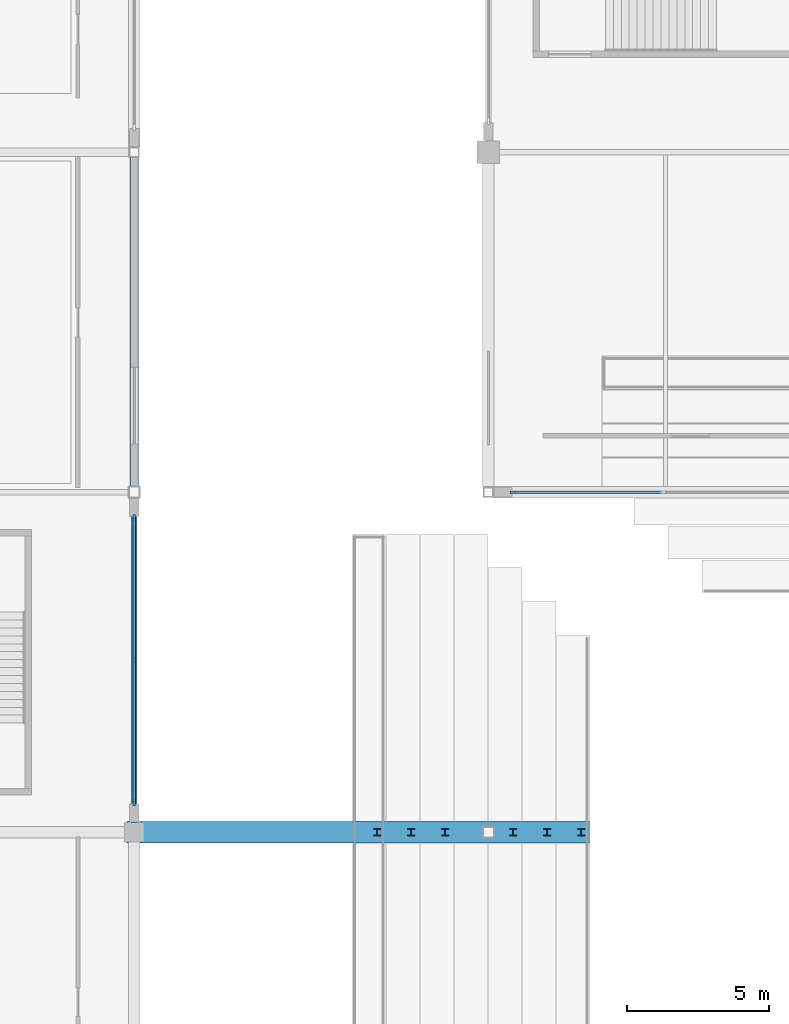
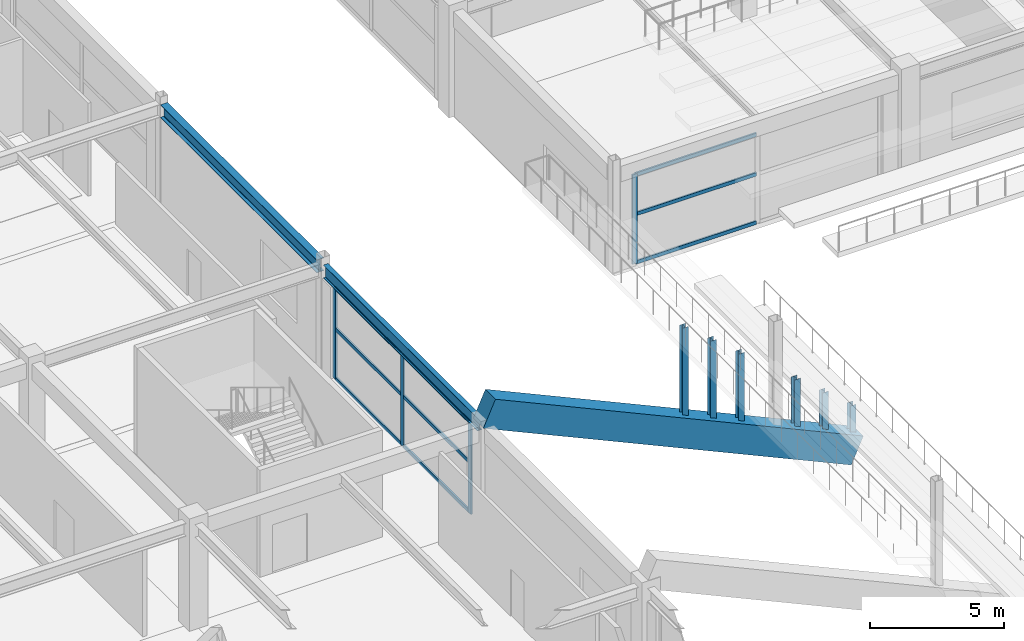
# One storey, part 41 of 128: 19 members, 3 beams, 2 elements without a shape of their own.
"""IFC4 building model written with IfcOpenShell, lengths in metres."""

from ifc_helpers import new_model, si_unit, direction, frame, origin, origin_2d, place, context, subcontext, project, spatial, rectangle, i_section, extrude, material, layer, layer_set, material_profile, profile_set, type_object, element, aggregate, save


model = new_model("IFC4")

# Units and contexts
model_context = context("Model", 3, precision=1e-05, world=origin(), true_north=direction((0.0, 1.0)))
body_context = subcontext(model_context, "Body", "Model", "MODEL_VIEW")
ifc_project = project(units=[si_unit("LENGTHUNIT", "METRE"), si_unit("AREAUNIT", "SQUARE_METRE"), si_unit("VOLUMEUNIT", "CUBIC_METRE"), si_unit("PLANEANGLEUNIT", "RADIAN"), si_unit("MASSUNIT", "GRAM", prefix="KILO")], contexts=[model_context])

# Site, building, storey
site_placement = place(None, origin())
site = spatial("IfcSite", under=ifc_project, at=site_placement, CompositionType="ELEMENT")
building_placement = place(site_placement, origin())
building = spatial("IfcBuilding", under=site, at=building_placement, Name="Kazenohara Klinker Stadium", CompositionType="ELEMENT")
storey_placement = place(building_placement, frame((0.0, 0.0, 15.300048828125)))
storey = spatial("IfcBuildingStorey", under=building, at=storey_placement, Name="L03", CompositionType="ELEMENT", Elevation=15.300048828125)

# Beams
ifc_material_1 = material(Name="Steel S355", Category="steel")
ifc_material_profile_1 = material_profile(ifc_material_1, i_section(OverallWidth=0.199951171875, OverallDepth=0.60009765625, WebThickness=0.010986328125, FlangeThickness=0.01708984375, FilletRadius=0.012939453125, at=origin_2d()), Name="H-600x200x11x17")
ifc_profile_set_1 = profile_set([ifc_material_profile_1], Name="Steel S355")
beam_type_1 = type_object("IfcBeamType", Name="BM-ST04", PredefinedType="BEAM", material=ifc_profile_set_1)
beam_1_placement = place(storey_placement, frame((36.5, 120.35009765625, 4.4599609375), z_axis=(0.0, 1.0, 0.0), x_axis=(-1.0, 0.0, 0.0)))
element("IfcBeam", 1, at=beam_1_placement, inside=storey, type_object=beam_type_1, Name="Primary girder SB04 L03 4/L-M", PredefinedType="BEAM", context=body_context, shape_type="SweptSolid", body=[
    extrude(i_section(OverallWidth=0.199951171875, OverallDepth=0.60009765625, WebThickness=0.010986328125, FlangeThickness=0.01708984375, FilletRadius=0.012939453125, at=origin_2d()), origin(), (0.0, 0.0, 1.0), 11.449951171875),
])
ifc_material_profile_2 = material_profile(ifc_material_1, i_section(OverallWidth=0.300048828125, OverallDepth=0.587890625, WebThickness=0.011962890625, FlangeThickness=0.02001953125, FilletRadius=0.02197265625, at=origin_2d()), Name="H-588x300x12x20")
ifc_profile_set_2 = profile_set([ifc_material_profile_2], Name="Steel S355")
beam_type_2 = type_object("IfcBeamType", Name="BM-ST05", PredefinedType="BEAM", material=ifc_profile_set_2)
beam_2_placement = place(storey_placement, frame((36.5, 132.199951171875, 4.466064453125), z_axis=(0.0, 1.0, 0.0), x_axis=(-1.0, 0.0, 0.0)))
element("IfcBeam", 2, at=beam_2_placement, inside=storey, type_object=beam_type_2, Name="Primary girder SB05 L03 4/M-N", PredefinedType="BEAM", context=body_context, shape_type="SweptSolid", body=[
    extrude(i_section(OverallWidth=0.300048828125, OverallDepth=0.587890625, WebThickness=0.011962890625, FlangeThickness=0.02001953125, FilletRadius=0.02197265625, at=origin_2d()), origin(), (0.0, 0.0, 1.0), 11.625),
])

# Curtain wall, members
ifc_material_2 = material(Name="Anodised aluminium and triple glazing", Category="aluminium")
ifc_layer = layer(ifc_material_2, 0.169921875)
ifc_layer_set = layer_set([ifc_layer], Name="Anodised aluminium and triple glazing")
curtain_wall_type = type_object("IfcCurtainWallType", Name="CW-SYS-04", PredefinedType="USERDEFINED", material=ifc_layer_set)
curtain_wall_1_placement = place(storey_placement, origin())
curtain_wall_1 = element("IfcCurtainWall", 3, at=curtain_wall_1_placement, inside=storey, type_object=curtain_wall_type, Name="Unitised facade curtain wall CW04 L03 Y3-10", ObjectType="UNITISED CURTAIN WALL", PredefinedType="USERDEFINED")
ifc_material_3 = material(Name="Anodised aluminium 6063-T6", Category="aluminium")
ifc_material_profile_3 = material_profile(ifc_material_3, rectangle(XDim=0.074951171875, YDim=0.219970703125, at=origin_2d()), Name="ALU-MUL-75x220")
ifc_profile_set_3 = profile_set([ifc_material_profile_3], Name="Anodised aluminium 6063-T6")
member_type_1 = type_object("IfcMemberType", Name="CW-MUL-220", PredefinedType="MULLION", material=ifc_profile_set_3)
member_1_placement = place(storey_placement, frame((36.5, 121.04150390625, 0.0), z_axis=(0.0, 0.0, 1.0), x_axis=(-1.0, 0.0, 0.0)))
member_1 = element("IfcMember", 4, at=member_1_placement, type_object=member_type_1, Name="CW04 mullion 1", PredefinedType="MULLION", context=body_context, shape_type="SweptSolid", body=[
    extrude(rectangle(XDim=0.074951171875, YDim=0.219970703125, at=origin_2d()), origin(), (0.0, 0.0, 1.0), 4.159912109375),
])
member_2_placement = place(storey_placement, frame((36.5, 126.074951171875, 0.0), z_axis=(0.0, 0.0, 1.0), x_axis=(-1.0, 0.0, 0.0)))
member_2 = element("IfcMember", 5, at=member_2_placement, type_object=member_type_1, Name="CW04 mullion 2", PredefinedType="MULLION", context=body_context, shape_type="SweptSolid", body=[
    extrude(rectangle(XDim=0.074951171875, YDim=0.219970703125, at=origin_2d()), origin(), (0.0, 0.0, 1.0), 4.159912109375),
])
member_3_placement = place(storey_placement, frame((36.5, 131.1083984375, 0.0), z_axis=(0.0, 0.0, 1.0), x_axis=(-1.0, 0.0, 0.0)))
member_3 = element("IfcMember", 6, at=member_3_placement, type_object=member_type_1, Name="CW04 mullion 3", PredefinedType="MULLION", context=body_context, shape_type="SweptSolid", body=[
    extrude(rectangle(XDim=0.074951171875, YDim=0.219970703125, at=origin_2d()), origin(), (0.0, 0.0, 1.0), 4.159912109375),
])

# Curtain wall, member
curtain_wall_2_placement = place(storey_placement, origin())
curtain_wall_2 = element("IfcCurtainWall", 7, at=curtain_wall_2_placement, inside=storey, type_object=curtain_wall_type, Name="Unitised facade curtain wall CW04 L03 X4-11", ObjectType="UNITISED CURTAIN WALL", PredefinedType="USERDEFINED")
member_4_placement = place(storey_placement, frame((49.866455078125, 132.0, 0.0), z_axis=(0.0, 0.0, 1.0), x_axis=(0.0, 1.0, 0.0)))
member_4 = element("IfcMember", 8, at=member_4_placement, type_object=member_type_1, Name="CW04 mullion 1", PredefinedType="MULLION", context=body_context, shape_type="SweptSolid", body=[
    extrude(rectangle(XDim=0.074951171875, YDim=0.219970703125, at=origin_2d()), origin(), (0.0, 0.0, 1.0), 4.06005859375),
])

# Member
ifc_material_profile_4 = material_profile(ifc_material_3, rectangle(XDim=0.074951171875, YDim=0.159912109375, at=origin_2d()), Name="ALU-TRN-75x160")
ifc_profile_set_4 = profile_set([ifc_material_profile_4], Name="Anodised aluminium 6063-T6")
member_type_2 = type_object("IfcMemberType", Name="CW-TRN-160", PredefinedType="USERDEFINED", material=ifc_profile_set_4)
member_5_placement = place(storey_placement, frame((36.5, 121.0791015625, 0.037353515625), z_axis=(0.0, 1.0, 0.0), x_axis=(-1.0, 0.0, 0.0)))
member_5 = element("IfcMember", 9, at=member_5_placement, type_object=member_type_2, Name="CW04 transom 1.1", ObjectType="TRANSOM", PredefinedType="USERDEFINED", context=body_context, shape_type="SweptSolid", body=[
    extrude(rectangle(XDim=0.074951171875, YDim=0.159912109375, at=origin_2d()), origin(), (0.0, 0.0, 1.0), 4.95849609375),
])

member_6_placement = place(storey_placement, frame((36.5, 121.0791015625, 2.287841796875), z_axis=(0.0, 1.0, 0.0), x_axis=(-1.0, 0.0, 0.0)))
member_6 = element("IfcMember", 10, at=member_6_placement, type_object=member_type_2, Name="CW04 transom 1.2", ObjectType="TRANSOM", PredefinedType="USERDEFINED", context=body_context, shape_type="SweptSolid", body=[
    extrude(rectangle(XDim=0.074951171875, YDim=0.159912109375, at=origin_2d()), origin(), (0.0, 0.0, 1.0), 4.95849609375),
])

member_7_placement = place(storey_placement, frame((36.5, 121.0791015625, 4.12255859375), z_axis=(0.0, 1.0, 0.0), x_axis=(-1.0, 0.0, 0.0)))
member_7 = element("IfcMember", 11, at=member_7_placement, type_object=member_type_2, Name="CW04 transom 1.3", ObjectType="TRANSOM", PredefinedType="USERDEFINED", context=body_context, shape_type="SweptSolid", body=[
    extrude(rectangle(XDim=0.074951171875, YDim=0.159912109375, at=origin_2d()), origin(), (0.0, 0.0, 1.0), 4.95849609375),
])

member_8_placement = place(storey_placement, frame((36.5, 126.112548828125, 0.037353515625), z_axis=(0.0, 1.0, 0.0), x_axis=(-1.0, 0.0, 0.0)))
member_8 = element("IfcMember", 12, at=member_8_placement, type_object=member_type_2, Name="CW04 transom 2.1", ObjectType="TRANSOM", PredefinedType="USERDEFINED", context=body_context, shape_type="SweptSolid", body=[
    extrude(rectangle(XDim=0.074951171875, YDim=0.159912109375, at=origin_2d()), origin(), (0.0, 0.0, 1.0), 4.95849609375),
])

member_9_placement = place(storey_placement, frame((36.5, 126.112548828125, 2.287841796875), z_axis=(0.0, 1.0, 0.0), x_axis=(-1.0, 0.0, 0.0)))
member_9 = element("IfcMember", 13, at=member_9_placement, type_object=member_type_2, Name="CW04 transom 2.2", ObjectType="TRANSOM", PredefinedType="USERDEFINED", context=body_context, shape_type="SweptSolid", body=[
    extrude(rectangle(XDim=0.074951171875, YDim=0.159912109375, at=origin_2d()), origin(), (0.0, 0.0, 1.0), 4.95849609375),
])

member_10_placement = place(storey_placement, frame((36.5, 126.112548828125, 4.12255859375), z_axis=(0.0, 1.0, 0.0), x_axis=(-1.0, 0.0, 0.0)))
member_10 = element("IfcMember", 14, at=member_10_placement, type_object=member_type_2, Name="CW04 transom 2.3", ObjectType="TRANSOM", PredefinedType="USERDEFINED", context=body_context, shape_type="SweptSolid", body=[
    extrude(rectangle(XDim=0.074951171875, YDim=0.159912109375, at=origin_2d()), origin(), (0.0, 0.0, 1.0), 4.95849609375),
])

aggregate(curtain_wall_1, [member_1, member_2, member_3, member_5, member_6, member_7, member_8, member_9, member_10])

member_11_placement = place(storey_placement, frame((49.904052734375, 132.0, 0.037353515625), z_axis=(1.0, 0.0, 0.0), x_axis=(0.0, 1.0, 0.0)))
member_11 = element("IfcMember", 15, at=member_11_placement, type_object=member_type_2, Name="CW04 transom 1.1", ObjectType="TRANSOM", PredefinedType="USERDEFINED", context=body_context, shape_type="SweptSolid", body=[
    extrude(rectangle(XDim=0.074951171875, YDim=0.159912109375, at=origin_2d()), origin(), (0.0, 0.0, 1.0), 5.196044921875),
])

member_12_placement = place(storey_placement, frame((49.904052734375, 132.0, 2.23291015625), z_axis=(1.0, 0.0, 0.0), x_axis=(0.0, 1.0, 0.0)))
member_12 = element("IfcMember", 16, at=member_12_placement, type_object=member_type_2, Name="CW04 transom 1.2", ObjectType="TRANSOM", PredefinedType="USERDEFINED", context=body_context, shape_type="SweptSolid", body=[
    extrude(rectangle(XDim=0.074951171875, YDim=0.159912109375, at=origin_2d()), origin(), (0.0, 0.0, 1.0), 5.196044921875),
])

member_13_placement = place(storey_placement, frame((49.904052734375, 132.0, 4.0224609375), z_axis=(1.0, 0.0, 0.0), x_axis=(0.0, 1.0, 0.0)))
member_13 = element("IfcMember", 17, at=member_13_placement, type_object=member_type_2, Name="CW04 transom 1.3", ObjectType="TRANSOM", PredefinedType="USERDEFINED", context=body_context, shape_type="SweptSolid", body=[
    extrude(rectangle(XDim=0.074951171875, YDim=0.159912109375, at=origin_2d()), origin(), (0.0, 0.0, 1.0), 5.196044921875),
])

aggregate(curtain_wall_2, [member_4, member_11, member_12, member_13])

# Members
ifc_material_profile_5 = material_profile(ifc_material_1, i_section(OverallWidth=0.25, OverallDepth=0.25, WebThickness=0.009033203125, FlangeThickness=0.013916015625, FilletRadius=0.012939453125, at=origin_2d()), Name="H-250x250x9x14")
ifc_profile_set_5 = profile_set([ifc_material_profile_5], Name="Steel S355")
member_type_3 = type_object("IfcMemberType", Name="MEM-STR02", PredefinedType="STRUT", material=ifc_profile_set_5)
member_14_placement = place(storey_placement, frame((45.070068359375, 120.0, 2.04541015625), z_axis=(0.0, 0.0, 1.0), x_axis=(1.0, 0.0, 0.0)))
element("IfcMember", 18, at=member_14_placement, inside=storey, type_object=member_type_3, Name="Precast tier riser stool UPPER-W-01-10", PredefinedType="STRUT", context=body_context, shape_type="SweptSolid", body=[
    extrude(i_section(OverallWidth=0.25, OverallDepth=0.25, WebThickness=0.009033203125, FlangeThickness=0.013916015625, FilletRadius=0.012939453125, at=origin_2d()), origin(), (0.0, 0.0, 1.0), 4.074462890625),
])
member_15_placement = place(storey_placement, frame((46.27001953125, 120.0, 1.49853515625), z_axis=(0.0, 0.0, 1.0), x_axis=(1.0, 0.0, 0.0)))
element("IfcMember", 19, at=member_15_placement, inside=storey, type_object=member_type_3, Name="Precast tier riser stool UPPER-W-02-10", PredefinedType="STRUT", context=body_context, shape_type="SweptSolid", body=[
    extrude(i_section(OverallWidth=0.25, OverallDepth=0.25, WebThickness=0.009033203125, FlangeThickness=0.013916015625, FilletRadius=0.012939453125, at=origin_2d()), origin(), (0.0, 0.0, 1.0), 3.613037109375),
])
member_16_placement = place(storey_placement, frame((47.469970703125, 120.0, 0.95166015625), z_axis=(0.0, 0.0, 1.0), x_axis=(1.0, 0.0, 0.0)))
element("IfcMember", 20, at=member_16_placement, inside=storey, type_object=member_type_3, Name="Precast tier riser stool UPPER-W-03-10", PredefinedType="STRUT", context=body_context, shape_type="SweptSolid", body=[
    extrude(i_section(OverallWidth=0.25, OverallDepth=0.25, WebThickness=0.009033203125, FlangeThickness=0.013916015625, FilletRadius=0.012939453125, at=origin_2d()), origin(), (0.0, 0.0, 1.0), 3.151611328125),
])
member_17_placement = place(storey_placement, frame((49.8701171875, 120.0, -0.141845703125), z_axis=(0.0, 0.0, 1.0), x_axis=(1.0, 0.0, 0.0)))
element("IfcMember", 21, at=member_17_placement, inside=storey, type_object=member_type_3, Name="Precast tier riser stool UPPER-W-05-10", PredefinedType="STRUT", context=body_context, shape_type="SweptSolid", body=[
    extrude(i_section(OverallWidth=0.25, OverallDepth=0.25, WebThickness=0.009033203125, FlangeThickness=0.013916015625, FilletRadius=0.012939453125, at=origin_2d()), origin(), (0.0, 0.0, 1.0), 2.228515625),
])
member_18_placement = place(storey_placement, frame((51.070068359375, 120.0, -0.68896484375), z_axis=(0.0, 0.0, 1.0), x_axis=(1.0, 0.0, 0.0)))
element("IfcMember", 22, at=member_18_placement, inside=storey, type_object=member_type_3, Name="Precast tier riser stool UPPER-W-06-10", PredefinedType="STRUT", context=body_context, shape_type="SweptSolid", body=[
    extrude(i_section(OverallWidth=0.25, OverallDepth=0.25, WebThickness=0.009033203125, FlangeThickness=0.013916015625, FilletRadius=0.012939453125, at=origin_2d()), origin(), (0.0, 0.0, 1.0), 1.767333984375),
])
member_19_placement = place(storey_placement, frame((52.27001953125, 120.0, -1.235595703125), z_axis=(0.0, 0.0, 1.0), x_axis=(1.0, 0.0, 0.0)))
element("IfcMember", 23, at=member_19_placement, inside=storey, type_object=member_type_3, Name="Precast tier riser stool UPPER-W-07-10", PredefinedType="STRUT", context=body_context, shape_type="SweptSolid", body=[
    extrude(i_section(OverallWidth=0.25, OverallDepth=0.25, WebThickness=0.009033203125, FlangeThickness=0.013916015625, FilletRadius=0.012939453125, at=origin_2d()), origin(), (0.0, 0.0, 1.0), 1.3056640625),
])

# Beam
ifc_material_4 = material(Name="Precast concrete C50/60", Category="concrete")
ifc_material_profile_6 = material_profile(ifc_material_4, rectangle(XDim=0.75, YDim=1.25, at=origin_2d()), Name="PC-RAKER-750x1250")
ifc_profile_set_6 = profile_set([ifc_material_profile_6], Name="Precast concrete C50/60")
beam_type_3 = type_object("IfcBeamType", Name="RAKER-RK02", PredefinedType="USERDEFINED", material=ifc_profile_set_6)
beam_3_placement = place(storey_placement, frame((36.5, 120.0, 5.351318359375), z_axis=(0.909973134945, 0.0, -0.414667208348), x_axis=(0.0, 1.0, 0.0)))
element("IfcBeam", 24, at=beam_3_placement, inside=storey, type_object=beam_type_3, Name="Precast bowl raker girder RK02 UPPER West L", ObjectType="RAKER", PredefinedType="USERDEFINED", context=body_context, shape_type="SweptSolid", body=[
    extrude(rectangle(XDim=0.75, YDim=1.25, at=origin_2d()), origin(), (0.0, 0.0, 1.0), 17.36328125),
])

save(model, "model.ifc")
